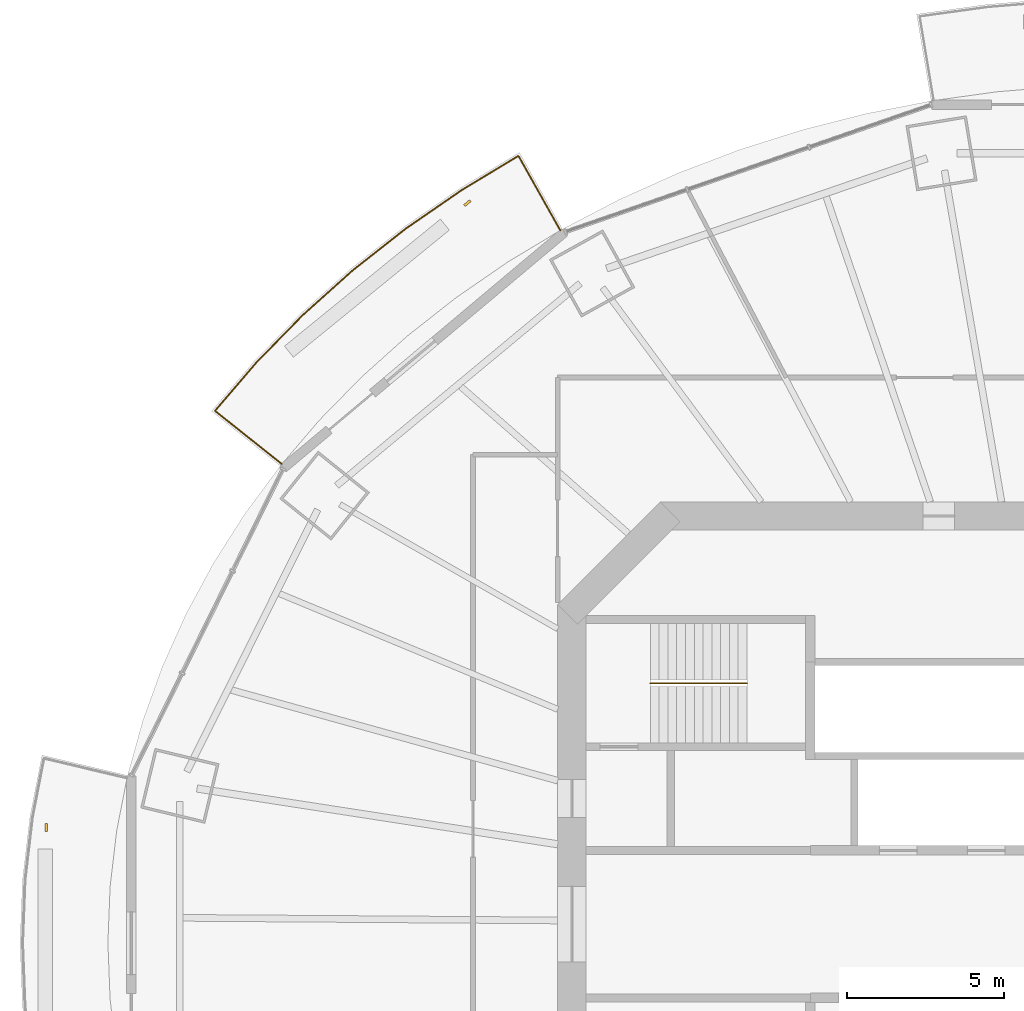
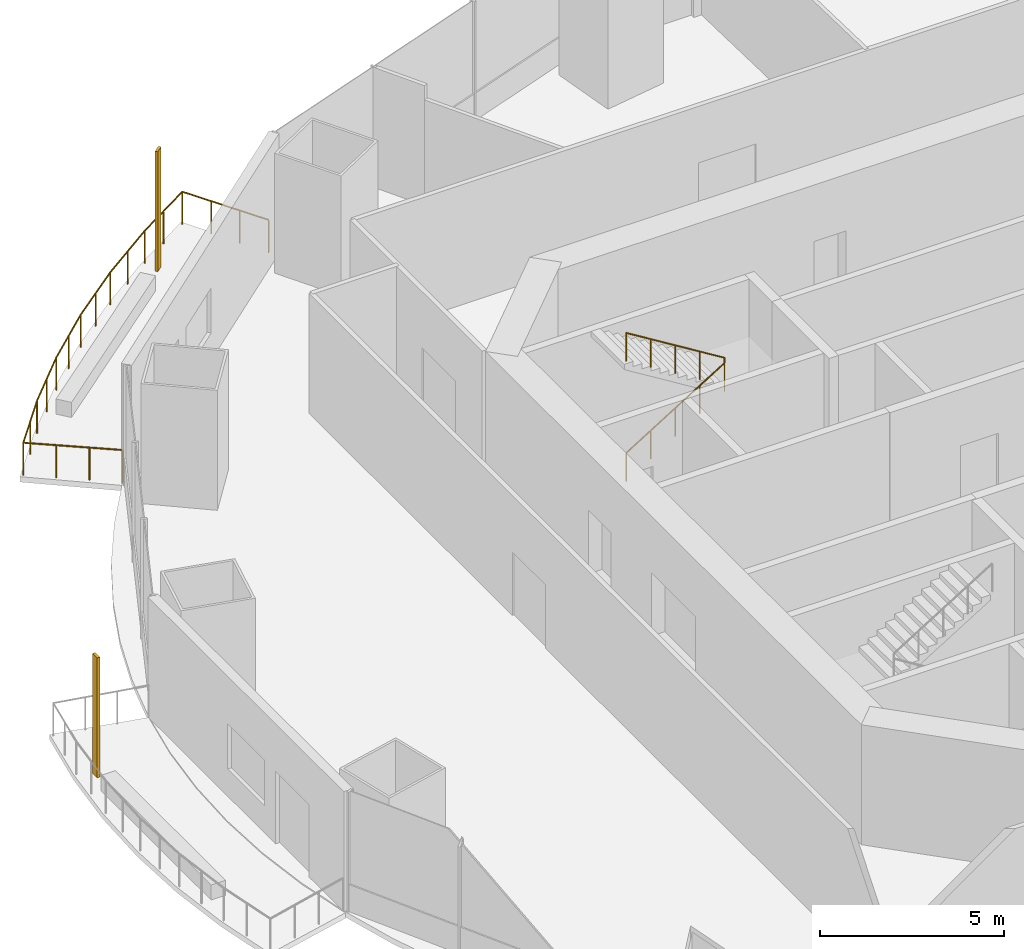
# One storey, part 17 of 20: 2 railings, 2 shading devices.
"""IFC4 building model written with IfcOpenShell, lengths in metres."""

from ifc_helpers import new_model, si_unit, direction, frame, origin, origin_2d, place, context, subcontext, project, spatial, rectangle, circle, extrude, material, material_profile, profile_set, type_object, element, save


model = new_model("IFC4")

# Units and contexts
model_context = context("Model", 3, precision=1e-05, world=origin(), true_north=direction((0.0, 1.0)))
body_context = subcontext(model_context, "Body", "Model", "MODEL_VIEW")
ifc_project = project(units=[si_unit("LENGTHUNIT", "METRE"), si_unit("AREAUNIT", "SQUARE_METRE"), si_unit("VOLUMEUNIT", "CUBIC_METRE"), si_unit("PLANEANGLEUNIT", "RADIAN"), si_unit("MASSUNIT", "GRAM", prefix="KILO")], contexts=[model_context])

# Site, building, storey
site_placement = place(None, origin())
site = spatial("IfcSite", under=ifc_project, at=site_placement, CompositionType="ELEMENT")
building_placement = place(site_placement, origin())
building = spatial("IfcBuilding", under=site, at=building_placement, Name="Marenthal Gate Tower", CompositionType="ELEMENT")
storey_placement = place(building_placement, frame((0.0, 0.0, 173.5)))
storey = spatial("IfcBuildingStorey", under=building, at=storey_placement, Name="L37", CompositionType="ELEMENT", Elevation=173.5)

# Railings
ifc_material_1 = material(Name="Stainless steel", Category="steel")
railing_type_1 = type_object("IfcRailingType", Name="Balcony guard 1100", PredefinedType="GUARDRAIL", material=ifc_material_1)
railing_1_placement = place(storey_placement, frame((-25.237060546875, 14.6552734375, 0.0)))
element("IfcRailing", 1, at=railing_1_placement, inside=storey, type_object=railing_type_1, Name="Balcony guard L37 bay 6", PredefinedType="GUARDRAIL", context=body_context, shape_type="SweptSolid", body=[
    extrude(circle(Radius=0.02392578125, at=origin_2d()), frame((0.0, 0.0, 1.076171875), z_axis=(-0.782619614183, 0.622326193205, -0.014718992744), x_axis=(-0.622393617256, -0.78270440474, 0.0)), (0.0, 0.0, 1.0), 2.72021484375),
    extrude(circle(Radius=0.02392578125, at=origin_2d()), frame((-2.12890625, 1.69287109375, 1.0361328125), z_axis=(0.650253316772, 0.75971746329, 0.0), x_axis=(-0.75971746329, 0.650253316772, 0.0)), (0.0, 0.0, 1.0), 2.0185546875),
    extrude(circle(Radius=0.02392578125, at=origin_2d()), frame((-0.81640625, 3.226318359375, 1.0361328125), z_axis=(0.699041593695, 0.715081009595, 0.0), x_axis=(-0.715081009595, 0.699041593695, 0.0)), (0.0, 0.0, 1.0), 2.11572265625),
    extrude(circle(Radius=0.02392578125, at=origin_2d()), frame((0.66259765625, 4.7392578125, 1.0361328125), z_axis=(0.744657655952, 0.667446608676, 0.0), x_axis=(-0.667446608676, 0.744657655952, 0.0)), (0.0, 0.0, 1.0), 2.13427734375),
    extrude(circle(Radius=0.02392578125, at=origin_2d()), frame((2.251953125, 6.163818359375, 1.0361328125), z_axis=(0.786086084663, 0.618117033821, 0.0), x_axis=(-0.618117033821, 0.786086084663, 0.0)), (0.0, 0.0, 1.0), 2.152587890625),
    extrude(circle(Radius=0.02392578125, at=origin_2d()), frame((3.944091796875, 7.494384765625, 1.0361328125), z_axis=(0.823509936294, 0.567301846308, 0.0), x_axis=(-0.567301846308, 0.823509936294, 0.0)), (0.0, 0.0, 1.0), 2.170654296875),
    extrude(circle(Radius=0.02392578125, at=origin_2d()), frame((5.731689453125, 8.725830078125, 1.0361328125), z_axis=(0.856264483042, 0.516537641494, 0.0), x_axis=(-0.516537641494, 0.856264483042, 0.0)), (0.0, 0.0, 1.0), 2.1083984375),
    extrude(circle(Radius=0.02392578125, at=origin_2d()), frame((7.537109375, 9.81494140625, 1.0361328125), z_axis=(0.4893727887, -0.871950488724, 0.014717978608), x_axis=(0.872044944545, 0.489425801009, 0.0)), (0.0, 0.0, 1.0), 2.720458984375),
    extrude(circle(Radius=0.02099609375, at=origin_2d()), origin(), (0.0, 0.0, 1.0), 1.052001953125),
    extrude(circle(Radius=0.02099609375, at=origin_2d()), frame((-0.709716796875, 0.564208984375, -0.013427734375)), (0.0, 0.0, 1.0), 1.052001953125),
    extrude(circle(Radius=0.02099609375, at=origin_2d()), frame((-1.419189453125, 1.128662109375, -0.026611328125)), (0.0, 0.0, 1.0), 1.052001953125),
    extrude(circle(Radius=0.02099609375, at=origin_2d()), frame((-2.12890625, 1.69287109375, -0.0400390625)), (0.0, 0.0, 1.0), 1.052001953125),
    extrude(circle(Radius=0.02099609375, at=origin_2d()), frame((-1.47265625, 2.45947265625, -0.0400390625)), (0.0, 0.0, 1.0), 1.052001953125),
    extrude(circle(Radius=0.02099609375, at=origin_2d()), frame((-0.81640625, 3.226318359375, -0.0400390625)), (0.0, 0.0, 1.0), 1.052001953125),
    extrude(circle(Radius=0.02099609375, at=origin_2d()), frame((-0.076904296875, 3.98291015625, -0.0400390625)), (0.0, 0.0, 1.0), 1.052001953125),
    extrude(circle(Radius=0.02099609375, at=origin_2d()), frame((0.66259765625, 4.7392578125, -0.0400390625)), (0.0, 0.0, 1.0), 1.052001953125),
    extrude(circle(Radius=0.02099609375, at=origin_2d()), frame((1.457275390625, 5.45166015625, -0.0400390625)), (0.0, 0.0, 1.0), 1.052001953125),
    extrude(circle(Radius=0.02099609375, at=origin_2d()), frame((2.251953125, 6.163818359375, -0.0400390625)), (0.0, 0.0, 1.0), 1.052001953125),
    extrude(circle(Radius=0.02099609375, at=origin_2d()), frame((3.09814453125, 6.8291015625, -0.0400390625)), (0.0, 0.0, 1.0), 1.052001953125),
    extrude(circle(Radius=0.02099609375, at=origin_2d()), frame((3.944091796875, 7.494384765625, -0.0400390625)), (0.0, 0.0, 1.0), 1.052001953125),
    extrude(circle(Radius=0.02099609375, at=origin_2d()), frame((4.837890625, 8.110107421875, -0.0400390625)), (0.0, 0.0, 1.0), 1.052001953125),
    extrude(circle(Radius=0.02099609375, at=origin_2d()), frame((5.731689453125, 8.725830078125, -0.0400390625)), (0.0, 0.0, 1.0), 1.052001953125),
    extrude(circle(Radius=0.02099609375, at=origin_2d()), frame((6.63427734375, 9.2705078125, -0.0400390625)), (0.0, 0.0, 1.0), 1.052001953125),
    extrude(circle(Radius=0.02099609375, at=origin_2d()), frame((7.537109375, 9.81494140625, -0.0400390625)), (0.0, 0.0, 1.0), 1.052001953125),
    extrude(circle(Radius=0.02099609375, at=origin_2d()), frame((7.98095703125, 9.024169921875, -0.026611328125)), (0.0, 0.0, 1.0), 1.052001953125),
    extrude(circle(Radius=0.02099609375, at=origin_2d()), frame((8.424560546875, 8.233642578125, -0.013427734375)), (0.0, 0.0, 1.0), 1.052001953125),
    extrude(circle(Radius=0.02099609375, at=origin_2d()), frame((8.868408203125, 7.44287109375, 0.0)), (0.0, 0.0, 1.0), 1.052001953125),
])
ifc_material_2 = material(Name="Stainless steel", Category="steel")
railing_type_2 = type_object("IfcRailingType", Name="Stair handrail", PredefinedType="HANDRAIL", material=ifc_material_2)
railing_2_placement = place(storey_placement, frame((-13.5, 7.675048828125, 0.1728515625)))
element("IfcRailing", 2, at=railing_2_placement, inside=storey, type_object=railing_type_2, Name="Handrail ST1", PredefinedType="HANDRAIL", context=body_context, shape_type="SweptSolid", body=[
    extrude(circle(Radius=0.0224609375, at=origin_2d()), frame((0.0, 0.0, 0.927490234375), z_axis=(0.850835241893, 0.0, 0.525432575268), x_axis=(0.0, 1.0, 0.0)), (0.0, 0.0, 1.0), 3.6201171875),
    extrude(circle(Radius=0.0224609375, at=origin_2d()), frame((3.080078125, 0.0, 2.82958984375), z_axis=(0.0, 0.0, 1.0), x_axis=(1.0, 0.0, 0.0)), (0.0, 0.0, 1.0), 0.1728515625),
    extrude(circle(Radius=0.0224609375, at=origin_2d()), frame((3.080078125, 0.0, 3.00244140625), z_axis=(-0.850835241893, 0.0, 0.525432575268), x_axis=(0.0, -1.0, 0.0)), (0.0, 0.0, 1.0), 3.6201171875),
    extrude(circle(Radius=0.02001953125, at=origin_2d()), origin(), (0.0, 0.0, 1.0), 0.905029296875),
    extrude(circle(Radius=0.02001953125, at=origin_2d()), frame((0.77001953125, 0.0, 0.4755859375)), (0.0, 0.0, 1.0), 0.905029296875),
    extrude(circle(Radius=0.02001953125, at=origin_2d()), frame((1.5400390625, 0.0, 0.951171875)), (0.0, 0.0, 1.0), 0.905029296875),
    extrude(circle(Radius=0.02001953125, at=origin_2d()), frame((2.31005859375, 0.0, 1.426513671875)), (0.0, 0.0, 1.0), 0.905029296875),
    extrude(circle(Radius=0.02001953125, at=origin_2d()), frame((3.080078125, 0.0, 1.902099609375)), (0.0, 0.0, 1.0), 0.905029296875),
    extrude(circle(Radius=0.02001953125, at=origin_2d()), frame((3.080078125, 0.0, 2.074951171875)), (0.0, 0.0, 1.0), 0.905029296875),
    extrude(circle(Radius=0.02001953125, at=origin_2d()), frame((2.31005859375, 0.0, 2.550537109375)), (0.0, 0.0, 1.0), 0.905029296875),
    extrude(circle(Radius=0.02001953125, at=origin_2d()), frame((1.5400390625, 0.0, 3.02587890625)), (0.0, 0.0, 1.0), 0.905029296875),
    extrude(circle(Radius=0.02001953125, at=origin_2d()), frame((0.77001953125, 0.0, 3.50146484375)), (0.0, 0.0, 1.0), 0.905029296875),
    extrude(circle(Radius=0.02001953125, at=origin_2d()), frame((0.0, 0.0, 3.97705078125)), (0.0, 0.0, 1.0), 0.905029296875),
])

# Shading devices
ifc_material_3 = material(Name="Terracotta", Category="masonry")
ifc_material_profile = material_profile(ifc_material_3, rectangle(XDim=0.25, YDim=0.080078125, at=origin_2d()), Name="Terracotta baguette 250x80")
ifc_profile_set = profile_set([ifc_material_profile], Name="Terracotta")
shading_device_type = type_object("IfcShadingDeviceType", Name="Terracotta BAGUETTE SCREEN 250x80", PredefinedType="USERDEFINED", material=ifc_profile_set)
for number, where, z_axis, x_axis, name in (
    (3, (-19.32763671875, 22.964599609375, -0.0400390625), (0.0, 0.0, 1.0), (-0.765850387542, -0.643018805247, 0.0), "Terracotta BAGUETTE L37 bay 6L"),
    (4, (-32.7451171875, 3.08056640625, -0.0400390625), (0.0, 0.0, 1.0), (0.0, -1.0, 0.0), "Terracotta BAGUETTE L37 bay 8L"),
):
    element("IfcShadingDevice", number, at=place(storey_placement, frame(where, z_axis=z_axis, x_axis=x_axis)), inside=storey, type_object=shading_device_type, Name=name, ObjectType="BAGUETTE SCREEN", PredefinedType="USERDEFINED", context=body_context, shape_type="SweptSolid", body=[
        extrude(rectangle(XDim=0.25, YDim=0.080078125, at=origin_2d()), origin(), (0.0, 0.0, 1.0), 3.969970703125),
    ])

save(model, "model.ifc")
